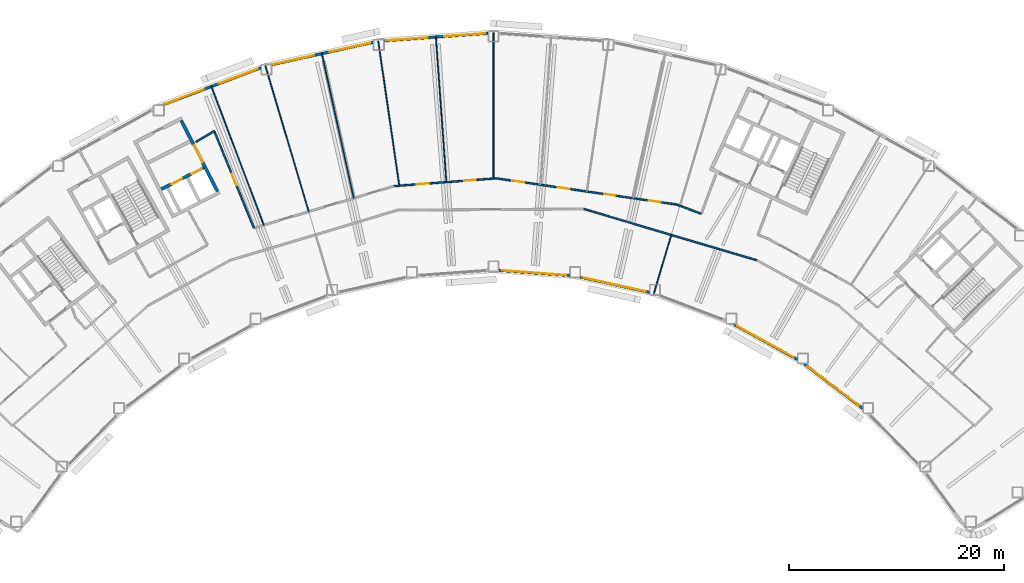
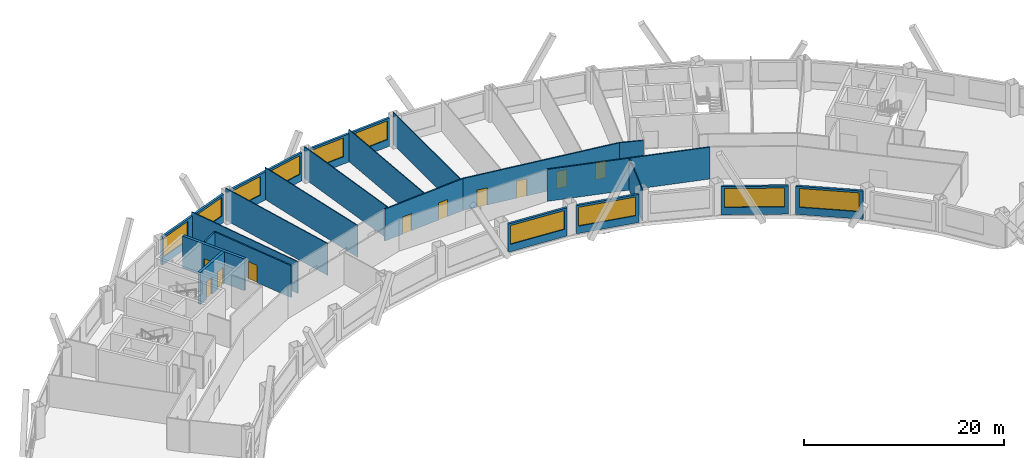
# One storey, part 5 of 11: 22 walls, 10 doors, 10 windows, 20 openings.
"""IFC4 building model written with IfcOpenShell, lengths in metres."""

from ifc_helpers import new_model, si_unit, direction, frame, frame_2d, origin, place, context, subcontext, project, spatial, rectangle, extrude, material, layer, layer_set, type_object, element, fill, save


model = new_model("IFC4")

# Units and contexts
model_context = context("Model", 3, precision=1e-05, world=origin(), true_north=direction((0.0, 1.0)))
body_context = subcontext(model_context, "Body", "Model", "MODEL_VIEW")
ifc_project = project(units=[si_unit("LENGTHUNIT", "METRE"), si_unit("AREAUNIT", "SQUARE_METRE"), si_unit("VOLUMEUNIT", "CUBIC_METRE"), si_unit("PLANEANGLEUNIT", "RADIAN"), si_unit("MASSUNIT", "GRAM", prefix="KILO")], contexts=[model_context])

# Site, building, storey
site_placement = place(None, origin())
site = spatial("IfcSite", under=ifc_project, at=site_placement, CompositionType="ELEMENT")
building_placement = place(site_placement, origin())
building = spatial("IfcBuilding", under=site, at=building_placement, Name="Tuul Gate Civic Tower", CompositionType="ELEMENT")
storey_placement = place(building_placement, frame((0.0, 0.0, 138.199951171875)))
storey = spatial("IfcBuildingStorey", under=building, at=storey_placement, Name="Level 31", CompositionType="ELEMENT", Elevation=138.199951171875)

# Wall
ifc_material_1 = material(Name="Gypsum board partition")
ifc_layer_1 = layer(ifc_material_1, 0.14990234375)
ifc_layer_set_1 = layer_set([ifc_layer_1], Name="Gypsum board partition")
wall_type_1 = type_object("IfcWallType", Name="Corridor wall P150", PredefinedType="PARTITIONING", material=ifc_layer_set_1)
wall_1_placement = place(storey_placement, frame((22.355712890625, -6.37548828125, 0.0), z_axis=(0.0, 0.0, 1.0), x_axis=(0.937357396993, -0.348369215492, 0.0)))
element("IfcWall", 1, at=wall_1_placement, inside=storey, type_object=wall_type_1, Name="p016", PredefinedType="PARTITIONING", context=body_context, shape_type="SweptSolid", body=[
    extrude(rectangle(XDim=2.44921875, YDim=0.14990234375, at=frame_2d((1.224609375, 0.0))), origin(), (0.0, 0.0, 1.0), 3.900146484375),
])

# Wall, openings, doors
wall_2_placement = place(storey_placement, frame((5.633056640625, -3.94677734375, 0.0), z_axis=(0.0, 0.0, 1.0), x_axis=(0.989618822019, -0.143717038326, 0.0)))
wall_2 = element("IfcWall", 2, at=wall_2_placement, inside=storey, type_object=wall_type_1, Name="p021", PredefinedType="PARTITIONING", context=body_context, shape_type="SweptSolid", body=[
    extrude(rectangle(XDim=16.895751953125, YDim=0.14990234375, at=frame_2d((8.44775390625, 0.0))), origin(), (0.0, 0.0, 1.0), 3.900146484375),
])
opening_1_placement = place(wall_2_placement, frame((14.32275390625, 0.0, 0.0)))
opening_1 = element("IfcOpeningElement", 3, at=opening_1_placement, cuts=wall_2, Name="Opening K-D06", PredefinedType="OPENING", context=body_context, shape_type="SweptSolid", body=[
    extrude(rectangle(XDim=1.10009765625, YDim=2.10009765625, at=frame_2d((0.550048828125, 1.050048828125))), frame((0.0, 0.0849609375, 0.0), z_axis=(0.0, -1.0, 0.0), x_axis=(1.0, 0.0, 0.0)), (0.0, 0.0, 1.0), 0.169921875),
])
opening_2_placement = place(wall_2_placement, frame((10.12158203125, 0.0, 0.0)))
opening_2 = element("IfcOpeningElement", 4, at=opening_2_placement, cuts=wall_2, Name="Opening K-D07", PredefinedType="OPENING", context=body_context, shape_type="SweptSolid", body=[
    extrude(rectangle(XDim=1.10009765625, YDim=2.10009765625, at=frame_2d((0.550048828125, 1.050048828125))), frame((0.0, 0.0849609375, 0.0), z_axis=(0.0, -1.0, 0.0), x_axis=(1.0, 0.0, 0.0)), (0.0, 0.0, 1.0), 0.169921875),
])
opening_3_placement = place(wall_2_placement, frame((5.7666015625, 0.0, 0.0)))
opening_3 = element("IfcOpeningElement", 5, at=opening_3_placement, cuts=wall_2, Name="Opening K-D08", PredefinedType="OPENING", context=body_context, shape_type="SweptSolid", body=[
    extrude(rectangle(XDim=1.10009765625, YDim=2.10009765625, at=frame_2d((0.550048828125, 1.050048828125))), frame((0.0, 0.0849609375, 0.0), z_axis=(0.0, -1.0, 0.0), x_axis=(1.0, 0.0, 0.0)), (0.0, 0.0, 1.0), 0.169921875),
])
opening_4_placement = place(wall_2_placement, frame((1.51953125, 0.0, 0.0)))
opening_4 = element("IfcOpeningElement", 6, at=opening_4_placement, cuts=wall_2, Name="Opening K-D09", PredefinedType="OPENING", context=body_context, shape_type="SweptSolid", body=[
    extrude(rectangle(XDim=1.10009765625, YDim=2.10009765625, at=frame_2d((0.550048828125, 1.050048828125))), frame((0.0, 0.0849609375, 0.0), z_axis=(0.0, -1.0, 0.0), x_axis=(1.0, 0.0, 0.0)), (0.0, 0.0, 1.0), 0.169921875),
])
ifc_material_2 = material(Name="Timber door leaf", Category="wood")
door_type_1 = type_object("IfcDoorType", Name="Door D11", OperationType="NOTDEFINED", PredefinedType="DOOR", material=ifc_material_2)
door_1_placement = place(opening_1_placement, origin())
door_1 = element("IfcDoor", 7, at=door_1_placement, inside=storey, type_object=door_type_1, Name="Door K-D06", OperationType="SINGLE_SWING_LEFT", OverallHeight=2.10009765625, OverallWidth=1.10009765625, PredefinedType="DOOR", context=body_context, shape_type="SweptSolid", body=[
    extrude(rectangle(XDim=1.10009765625, YDim=2.10009765625, at=frame_2d((0.550048828125, 1.050048828125))), frame((0.0, 0.02490234375, 0.0), z_axis=(0.0, -1.0, 0.0), x_axis=(1.0, 0.0, 0.0)), (0.0, 0.0, 1.0), 0.050048828125),
])
fill(opening_1, door_1)
door_2_placement = place(opening_2_placement, origin())
door_2 = element("IfcDoor", 8, at=door_2_placement, inside=storey, type_object=door_type_1, Name="Door K-D07", OperationType="SINGLE_SWING_RIGHT", OverallHeight=2.10009765625, OverallWidth=1.10009765625, PredefinedType="DOOR", context=body_context, shape_type="SweptSolid", body=[
    extrude(rectangle(XDim=1.10009765625, YDim=2.10009765625, at=frame_2d((0.550048828125, 1.050048828125))), frame((0.0, 0.02490234375, 0.0), z_axis=(0.0, -1.0, 0.0), x_axis=(1.0, 0.0, 0.0)), (0.0, 0.0, 1.0), 0.050048828125),
])
fill(opening_2, door_2)
door_3_placement = place(opening_3_placement, origin())
door_3 = element("IfcDoor", 9, at=door_3_placement, inside=storey, type_object=door_type_1, Name="Door K-D08", OperationType="SINGLE_SWING_RIGHT", OverallHeight=2.10009765625, OverallWidth=1.10009765625, PredefinedType="DOOR", context=body_context, shape_type="SweptSolid", body=[
    extrude(rectangle(XDim=1.10009765625, YDim=2.10009765625, at=frame_2d((0.550048828125, 1.050048828125))), frame((0.0, 0.02490234375, 0.0), z_axis=(0.0, -1.0, 0.0), x_axis=(1.0, 0.0, 0.0)), (0.0, 0.0, 1.0), 0.050048828125),
])
fill(opening_3, door_3)
door_4_placement = place(opening_4_placement, origin())
door_4 = element("IfcDoor", 10, at=door_4_placement, inside=storey, type_object=door_type_1, Name="Door K-D09", OperationType="SINGLE_SWING_RIGHT", OverallHeight=2.10009765625, OverallWidth=1.10009765625, PredefinedType="DOOR", context=body_context, shape_type="SweptSolid", body=[
    extrude(rectangle(XDim=1.10009765625, YDim=2.10009765625, at=frame_2d((0.550048828125, 1.050048828125))), frame((0.0, 0.02490234375, 0.0), z_axis=(0.0, -1.0, 0.0), x_axis=(1.0, 0.0, 0.0)), (0.0, 0.0, 1.0), 0.050048828125),
])
fill(opening_4, door_4)

wall_3_placement = place(storey_placement, frame((-3.847900390625, -4.6650390625, 0.0), z_axis=(0.0, 0.0, 1.0), x_axis=(0.997139374846, 0.075584834003, 0.0)))
wall_3 = element("IfcWall", 11, at=wall_3_placement, inside=storey, type_object=wall_type_1, Name="p025", PredefinedType="PARTITIONING", context=body_context, shape_type="SweptSolid", body=[
    extrude(rectangle(XDim=9.505859375, YDim=0.14990234375, at=frame_2d((4.7529296875, 0.0))), origin(), (0.0, 0.0, 1.0), 3.900146484375),
])
opening_5_placement = place(wall_3_placement, frame((6.505615234375, 0.0, 0.0)))
opening_5 = element("IfcOpeningElement", 12, at=opening_5_placement, cuts=wall_3, Name="Opening K-D10", PredefinedType="OPENING", context=body_context, shape_type="SweptSolid", body=[
    extrude(rectangle(XDim=1.10009765625, YDim=2.10009765625, at=frame_2d((0.550048828125, 1.050048828125))), frame((0.0, 0.0849609375, 0.0), z_axis=(0.0, -1.0, 0.0), x_axis=(1.0, 0.0, 0.0)), (0.0, 0.0, 1.0), 0.169921875),
])
opening_6_placement = place(wall_3_placement, frame((2.12158203125, 0.0, 0.0)))
opening_6 = element("IfcOpeningElement", 13, at=opening_6_placement, cuts=wall_3, Name="Opening K-D11", PredefinedType="OPENING", context=body_context, shape_type="SweptSolid", body=[
    extrude(rectangle(XDim=1.10009765625, YDim=2.10009765625, at=frame_2d((0.550048828125, 1.050048828125))), frame((0.0, 0.0849609375, 0.0), z_axis=(0.0, -1.0, 0.0), x_axis=(1.0, 0.0, 0.0)), (0.0, 0.0, 1.0), 0.169921875),
])
door_5_placement = place(opening_5_placement, origin())
door_5 = element("IfcDoor", 14, at=door_5_placement, inside=storey, type_object=door_type_1, Name="Door K-D10", OperationType="SINGLE_SWING_RIGHT", OverallHeight=2.10009765625, OverallWidth=1.10009765625, PredefinedType="DOOR", context=body_context, shape_type="SweptSolid", body=[
    extrude(rectangle(XDim=1.10009765625, YDim=2.10009765625, at=frame_2d((0.550048828125, 1.050048828125))), frame((0.0, 0.02490234375, 0.0), z_axis=(0.0, -1.0, 0.0), x_axis=(1.0, 0.0, 0.0)), (0.0, 0.0, 1.0), 0.050048828125),
])
fill(opening_5, door_5)
door_6_placement = place(opening_6_placement, origin())
door_6 = element("IfcDoor", 15, at=door_6_placement, inside=storey, type_object=door_type_1, Name="Door K-D11", OperationType="SINGLE_SWING_RIGHT", OverallHeight=2.10009765625, OverallWidth=1.10009765625, PredefinedType="DOOR", context=body_context, shape_type="SweptSolid", body=[
    extrude(rectangle(XDim=1.10009765625, YDim=2.10009765625, at=frame_2d((0.550048828125, 1.050048828125))), frame((0.0, 0.02490234375, 0.0), z_axis=(0.0, -1.0, 0.0), x_axis=(1.0, 0.0, 0.0)), (0.0, 0.0, 1.0), 0.050048828125),
])
fill(opening_6, door_6)

# Wall, opening, door
wall_4_placement = place(storey_placement, frame((-20.55126953125, 0.440673828125, 0.0), z_axis=(0.0, 0.0, 1.0), x_axis=(0.379597199819, -0.925151860988, 0.0)))
wall_4 = element("IfcWall", 16, at=wall_4_placement, inside=storey, type_object=wall_type_1, Name="p033", PredefinedType="PARTITIONING", context=body_context, shape_type="SweptSolid", body=[
    extrude(rectangle(XDim=9.707763671875, YDim=0.14990234375, at=frame_2d((4.85400390625, 0.0))), origin(), (0.0, 0.0, 1.0), 3.900146484375),
])
opening_7_placement = place(wall_4_placement, frame((4.3037109375, 0.0, 0.0)))
opening_7 = element("IfcOpeningElement", 17, at=opening_7_placement, cuts=wall_4, Name="Opening K-D15", PredefinedType="OPENING", context=body_context, shape_type="SweptSolid", body=[
    extrude(rectangle(XDim=1.10009765625, YDim=2.10009765625, at=frame_2d((0.550048828125, 1.050048828125))), frame((0.0, 0.0849609375, 0.0), z_axis=(0.0, -1.0, 0.0), x_axis=(1.0, 0.0, 0.0)), (0.0, 0.0, 1.0), 0.169921875),
])
door_7_placement = place(opening_7_placement, frame((1.10009765625, 0.0, 0.0), z_axis=(0.0, 0.0, 1.0), x_axis=(-1.0, 0.0, 0.0)))
door_7 = element("IfcDoor", 18, at=door_7_placement, inside=storey, type_object=door_type_1, Name="Door K-D15", OperationType="SINGLE_SWING_LEFT", OverallHeight=2.10009765625, OverallWidth=1.10009765625, PredefinedType="DOOR", context=body_context, shape_type="SweptSolid", body=[
    extrude(rectangle(XDim=1.10009765625, YDim=2.10009765625, at=frame_2d((0.550048828125, 1.050048828125))), frame((0.0, 0.02490234375, 0.0), z_axis=(0.0, -1.0, 0.0), x_axis=(1.0, 0.0, 0.0)), (0.0, 0.0, 1.0), 0.050048828125),
])
fill(opening_7, door_7)

# Walls
wall_5_placement = place(storey_placement, frame((-22.25390625, -0.57275390625, 0.0), z_axis=(0.0, 0.0, 1.0), x_axis=(0.859087704758, 0.511828404384, 0.0)))
element("IfcWall", 19, at=wall_5_placement, inside=storey, type_object=wall_type_1, Name="p034", PredefinedType="PARTITIONING", context=body_context, shape_type="SweptSolid", body=[
    extrude(rectangle(XDim=1.98046875, YDim=0.14990234375, at=frame_2d((0.990234375, 0.0))), origin(), (0.0, 0.0, 1.0), 3.900146484375),
])
wall_6_placement = place(storey_placement, frame((13.759521484375, -6.791015625, 0.0), z_axis=(0.0, 0.0, 1.0), x_axis=(0.95876109681, -0.28421322848, 0.0)))
element("IfcWall", 20, at=wall_6_placement, inside=storey, type_object=wall_type_1, Name="p048", PredefinedType="PARTITIONING", context=body_context, shape_type="SweptSolid", body=[
    extrude(rectangle(XDim=16.771240234375, YDim=0.14990234375, at=frame_2d((8.3857421875, 0.0))), origin(), (0.0, 0.0, 1.0), 3.900146484375),
])

# Wall, openings, windows
ifc_material_3 = material(Name="Precast concrete C40/50", Category="concrete")
ifc_layer_2 = layer(ifc_material_3, 0.25)
ifc_layer_set_2 = layer_set([ifc_layer_2], Name="Precast concrete C40/50")
wall_type_2 = type_object("IfcWallType", Name="External wall", PredefinedType="STANDARD", material=ifc_layer_set_2)
wall_7_placement = place(storey_placement, frame((4.8740234375, 9.521484375, 0.0), z_axis=(0.0, 0.0, 1.0), x_axis=(-0.997386456692, -0.07225133914, 0.0)))
wall_7 = element("IfcWall", 21, at=wall_7_placement, inside=storey, type_object=wall_type_2, Name="External wall", PredefinedType="STANDARD", context=body_context, shape_type="SweptSolid", body=[
    extrude(rectangle(XDim=9.67431640625, YDim=0.25, at=frame_2d((4.837158203125, 0.0))), origin(), (0.0, 0.0, 1.0), 3.449951171875),
])
opening_8_placement = place(wall_7_placement, frame((0.250244140625, 0.0, 0.89990234375)))
opening_8 = element("IfcOpeningElement", 22, at=opening_8_placement, cuts=wall_7, Name="Opening W22", PredefinedType="OPENING", context=body_context, shape_type="SweptSolid", body=[
    extrude(rectangle(XDim=3.85009765625, YDim=2.300048828125, at=frame_2d((1.925048828125, 1.14990234375))), frame((0.0, 0.135009765625, 0.0), z_axis=(0.0, -1.0, 0.0), x_axis=(1.0, 0.0, 0.0)), (0.0, 0.0, 1.0), 0.27001953125),
])
opening_9_placement = place(wall_7_placement, frame((5.62109375, 0.0, 0.89990234375)))
opening_9 = element("IfcOpeningElement", 23, at=opening_9_placement, cuts=wall_7, Name="Opening W22", PredefinedType="OPENING", context=body_context, shape_type="SweptSolid", body=[
    extrude(rectangle(XDim=3.85009765625, YDim=2.300048828125, at=frame_2d((1.925048828125, 1.14990234375))), frame((0.0, 0.135009765625, 0.0), z_axis=(0.0, -1.0, 0.0), x_axis=(1.0, 0.0, 0.0)), (0.0, 0.0, 1.0), 0.27001953125),
])
ifc_material_4 = material(Name="Glass", Category="glass")
window_type_1 = type_object("IfcWindowType", Name="Window W22 3850 x 2300", PartitioningType="SINGLE_PANEL", PredefinedType="WINDOW", material=ifc_material_4)
window_1_placement = place(opening_8_placement, origin())
window_1 = element("IfcWindow", 24, at=window_1_placement, inside=storey, type_object=window_type_1, Name="Window", OverallHeight=2.300048828125, OverallWidth=3.85009765625, PartitioningType="SINGLE_PANEL", PredefinedType="WINDOW", context=body_context, shape_type="SweptSolid", body=[
    extrude(rectangle(XDim=3.85009765625, YDim=2.300048828125, at=frame_2d((1.925048828125, 1.14990234375))), frame((0.0, 0.030029296875, 0.0), z_axis=(0.0, -1.0, 0.0), x_axis=(1.0, 0.0, 0.0)), (0.0, 0.0, 1.0), 0.06005859375),
])
fill(opening_8, window_1)
window_2_placement = place(opening_9_placement, origin())
window_2 = element("IfcWindow", 25, at=window_2_placement, inside=storey, type_object=window_type_1, Name="Window", OverallHeight=2.300048828125, OverallWidth=3.85009765625, PartitioningType="SINGLE_PANEL", PredefinedType="WINDOW", context=body_context, shape_type="SweptSolid", body=[
    extrude(rectangle(XDim=3.85009765625, YDim=2.300048828125, at=frame_2d((1.925048828125, 1.14990234375))), frame((0.0, 0.030029296875, 0.0), z_axis=(0.0, -1.0, 0.0), x_axis=(1.0, 0.0, 0.0)), (0.0, 0.0, 1.0), 0.06005859375),
])
fill(opening_9, window_2)

wall_8_placement = place(storey_placement, frame((-5.77490234375, 8.68310546875, 0.0), z_axis=(0.0, 0.0, 1.0), x_axis=(-0.976568733391, -0.215205736364, 0.0)))
wall_8 = element("IfcWall", 26, at=wall_8_placement, inside=storey, type_object=wall_type_2, Name="External wall", PredefinedType="STANDARD", context=body_context, shape_type="SweptSolid", body=[
    extrude(rectangle(XDim=9.654296875, YDim=0.25, at=frame_2d((4.8271484375, 0.0))), origin(), (0.0, 0.0, 1.0), 3.449951171875),
])
opening_10_placement = place(wall_8_placement, frame((0.28759765625, 0.0, 0.89990234375)))
opening_10 = element("IfcOpeningElement", 27, at=opening_10_placement, cuts=wall_8, Name="Opening W22", PredefinedType="OPENING", context=body_context, shape_type="SweptSolid", body=[
    extrude(rectangle(XDim=3.85009765625, YDim=2.300048828125, at=frame_2d((1.925048828125, 1.14990234375))), frame((0.0, 0.135009765625, 0.0), z_axis=(0.0, -1.0, 0.0), x_axis=(1.0, 0.0, 0.0)), (0.0, 0.0, 1.0), 0.27001953125),
])
opening_11_placement = place(wall_8_placement, frame((5.6591796875, 0.0, 0.89990234375)))
opening_11 = element("IfcOpeningElement", 28, at=opening_11_placement, cuts=wall_8, Name="Opening W22", PredefinedType="OPENING", context=body_context, shape_type="SweptSolid", body=[
    extrude(rectangle(XDim=3.85009765625, YDim=2.300048828125, at=frame_2d((1.925048828125, 1.14990234375))), frame((0.0, 0.135009765625, 0.0), z_axis=(0.0, -1.0, 0.0), x_axis=(1.0, 0.0, 0.0)), (0.0, 0.0, 1.0), 0.27001953125),
])
window_3_placement = place(opening_10_placement, origin())
window_3 = element("IfcWindow", 29, at=window_3_placement, inside=storey, type_object=window_type_1, Name="Window", OverallHeight=2.300048828125, OverallWidth=3.85009765625, PartitioningType="SINGLE_PANEL", PredefinedType="WINDOW", context=body_context, shape_type="SweptSolid", body=[
    extrude(rectangle(XDim=3.85009765625, YDim=2.300048828125, at=frame_2d((1.925048828125, 1.14990234375))), frame((0.0, 0.030029296875, 0.0), z_axis=(0.0, -1.0, 0.0), x_axis=(1.0, 0.0, 0.0)), (0.0, 0.0, 1.0), 0.06005859375),
])
fill(opening_10, window_3)
window_4_placement = place(opening_11_placement, origin())
window_4 = element("IfcWindow", 30, at=window_4_placement, inside=storey, type_object=window_type_1, Name="Window", OverallHeight=2.300048828125, OverallWidth=3.85009765625, PartitioningType="SINGLE_PANEL", PredefinedType="WINDOW", context=body_context, shape_type="SweptSolid", body=[
    extrude(rectangle(XDim=3.85009765625, YDim=2.300048828125, at=frame_2d((1.925048828125, 1.14990234375))), frame((0.0, 0.030029296875, 0.0), z_axis=(0.0, -1.0, 0.0), x_axis=(1.0, 0.0, 0.0)), (0.0, 0.0, 1.0), 0.06005859375),
])
fill(opening_11, window_4)

wall_9_placement = place(storey_placement, frame((-16.202880859375, 6.320556640625, 0.0), z_axis=(0.0, 0.0, 1.0), x_axis=(-0.935351451724, -0.353719750307, 0.0)))
wall_9 = element("IfcWall", 31, at=wall_9_placement, inside=storey, type_object=wall_type_2, Name="External wall", PredefinedType="STANDARD", context=body_context, shape_type="SweptSolid", body=[
    extrude(rectangle(XDim=9.712646484375, YDim=0.25, at=frame_2d((4.8564453125, 0.0))), origin(), (0.0, 0.0, 1.0), 3.449951171875),
])
opening_12_placement = place(wall_9_placement, frame((0.315673828125, 0.0, 0.89990234375)))
opening_12 = element("IfcOpeningElement", 32, at=opening_12_placement, cuts=wall_9, Name="Opening W22", PredefinedType="OPENING", context=body_context, shape_type="SweptSolid", body=[
    extrude(rectangle(XDim=3.85009765625, YDim=2.300048828125, at=frame_2d((1.925048828125, 1.14990234375))), frame((0.0, 0.135009765625, 0.0), z_axis=(0.0, -1.0, 0.0), x_axis=(1.0, 0.0, 0.0)), (0.0, 0.0, 1.0), 0.27001953125),
])
opening_13_placement = place(wall_9_placement, frame((5.68701171875, 0.0, 0.89990234375)))
opening_13 = element("IfcOpeningElement", 33, at=opening_13_placement, cuts=wall_9, Name="Opening W22", PredefinedType="OPENING", context=body_context, shape_type="SweptSolid", body=[
    extrude(rectangle(XDim=3.85009765625, YDim=2.300048828125, at=frame_2d((1.925048828125, 1.14990234375))), frame((0.0, 0.135009765625, 0.0), z_axis=(0.0, -1.0, 0.0), x_axis=(1.0, 0.0, 0.0)), (0.0, 0.0, 1.0), 0.27001953125),
])
window_5_placement = place(opening_12_placement, origin())
window_5 = element("IfcWindow", 34, at=window_5_placement, inside=storey, type_object=window_type_1, Name="Window", OverallHeight=2.300048828125, OverallWidth=3.85009765625, PartitioningType="SINGLE_PANEL", PredefinedType="WINDOW", context=body_context, shape_type="SweptSolid", body=[
    extrude(rectangle(XDim=3.85009765625, YDim=2.300048828125, at=frame_2d((1.925048828125, 1.14990234375))), frame((0.0, 0.030029296875, 0.0), z_axis=(0.0, -1.0, 0.0), x_axis=(1.0, 0.0, 0.0)), (0.0, 0.0, 1.0), 0.06005859375),
])
fill(opening_12, window_5)
window_6_placement = place(opening_13_placement, origin())
window_6 = element("IfcWindow", 35, at=window_6_placement, inside=storey, type_object=window_type_1, Name="Window", OverallHeight=2.300048828125, OverallWidth=3.85009765625, PartitioningType="SINGLE_PANEL", PredefinedType="WINDOW", context=body_context, shape_type="SweptSolid", body=[
    extrude(rectangle(XDim=3.85009765625, YDim=2.300048828125, at=frame_2d((1.925048828125, 1.14990234375))), frame((0.0, 0.030029296875, 0.0), z_axis=(0.0, -1.0, 0.0), x_axis=(1.0, 0.0, 0.0)), (0.0, 0.0, 1.0), 0.06005859375),
])
fill(opening_13, window_6)

# Wall, opening, window
wall_10_placement = place(storey_placement, frame((5.8740234375, -12.48583984375, 0.0), z_axis=(0.0, 0.0, 1.0), x_axis=(0.997383866909, -0.072287080662, 0.0)))
wall_10 = element("IfcWall", 36, at=wall_10_placement, inside=storey, type_object=wall_type_2, Name="External wall", PredefinedType="STANDARD", context=body_context, shape_type="SweptSolid", body=[
    extrude(rectangle(XDim=6.58935546875, YDim=0.25, at=frame_2d((3.294677734375, 0.0))), origin(), (0.0, 0.0, 1.0), 3.449951171875),
])
opening_14_placement = place(wall_10_placement, frame((0.27099609375, 0.0, 0.89990234375)))
opening_14 = element("IfcOpeningElement", 37, at=opening_14_placement, cuts=wall_10, Name="Opening W26", PredefinedType="OPENING", context=body_context, shape_type="SweptSolid", body=[
    extrude(rectangle(XDim=6.0, YDim=2.300048828125, at=frame_2d((3.0, 1.14990234375))), frame((0.0, 0.135009765625, 0.0), z_axis=(0.0, -1.0, 0.0), x_axis=(1.0, 0.0, 0.0)), (0.0, 0.0, 1.0), 0.27001953125),
])
ifc_material_5 = material(Name="Glass", Category="glass")
window_type_2 = type_object("IfcWindowType", Name="Window W26 6000 x 2300", PartitioningType="SINGLE_PANEL", PredefinedType="WINDOW", material=ifc_material_5)
window_7_placement = place(opening_14_placement, origin())
window_7 = element("IfcWindow", 38, at=window_7_placement, inside=storey, type_object=window_type_2, Name="Window", OverallHeight=2.300048828125, OverallWidth=6.0, PartitioningType="SINGLE_PANEL", PredefinedType="WINDOW", context=body_context, shape_type="SweptSolid", body=[
    extrude(rectangle(XDim=6.0, YDim=2.300048828125, at=frame_2d((3.0, 1.14990234375))), frame((0.0, 0.030029296875, 0.0), z_axis=(0.0, -1.0, 0.0), x_axis=(1.0, 0.0, 0.0)), (0.0, 0.0, 1.0), 0.06005859375),
])
fill(opening_14, window_7)

wall_11_placement = place(storey_placement, frame((13.446044921875, -13.115478515625, 0.0), z_axis=(0.0, 0.0, 1.0), x_axis=(0.976557337415, -0.215257442942, 0.0)))
wall_11 = element("IfcWall", 39, at=wall_11_placement, inside=storey, type_object=wall_type_2, Name="External wall", PredefinedType="STANDARD", context=body_context, shape_type="SweptSolid", body=[
    extrude(rectangle(XDim=6.568115234375, YDim=0.25, at=frame_2d((3.2841796875, 0.0))), origin(), (0.0, 0.0, 1.0), 3.449951171875),
])
opening_15_placement = place(wall_11_placement, frame((0.212158203125, 0.0, 0.89990234375)))
opening_15 = element("IfcOpeningElement", 40, at=opening_15_placement, cuts=wall_11, Name="Opening W26", PredefinedType="OPENING", context=body_context, shape_type="SweptSolid", body=[
    extrude(rectangle(XDim=6.0, YDim=2.300048828125, at=frame_2d((3.0, 1.14990234375))), frame((0.0, 0.135009765625, 0.0), z_axis=(0.0, -1.0, 0.0), x_axis=(1.0, 0.0, 0.0)), (0.0, 0.0, 1.0), 0.27001953125),
])
window_8_placement = place(opening_15_placement, origin())
window_8 = element("IfcWindow", 41, at=window_8_placement, inside=storey, type_object=window_type_2, Name="Window", OverallHeight=2.300048828125, OverallWidth=6.0, PartitioningType="SINGLE_PANEL", PredefinedType="WINDOW", context=body_context, shape_type="SweptSolid", body=[
    extrude(rectangle(XDim=6.0, YDim=2.300048828125, at=frame_2d((3.0, 1.14990234375))), frame((0.0, 0.030029296875, 0.0), z_axis=(0.0, -1.0, 0.0), x_axis=(1.0, 0.0, 0.0)), (0.0, 0.0, 1.0), 0.06005859375),
])
fill(opening_15, window_8)

wall_12_placement = place(storey_placement, frame((27.693115234375, -17.491943359375, 0.0), z_axis=(0.0, 0.0, 1.0), x_axis=(0.874615488592, -0.484817230628, 0.0)))
wall_12 = element("IfcWall", 42, at=wall_12_placement, inside=storey, type_object=wall_type_2, Name="External wall", PredefinedType="STANDARD", context=body_context, shape_type="SweptSolid", body=[
    extrude(rectangle(XDim=6.7548828125, YDim=0.25, at=frame_2d((3.37744140625, 0.0))), origin(), (0.0, 0.0, 1.0), 3.449951171875),
])
opening_16_placement = place(wall_12_placement, frame((0.35009765625, 0.0, 0.89990234375)))
opening_16 = element("IfcOpeningElement", 43, at=opening_16_placement, cuts=wall_12, Name="Opening W26", PredefinedType="OPENING", context=body_context, shape_type="SweptSolid", body=[
    extrude(rectangle(XDim=6.0, YDim=2.300048828125, at=frame_2d((3.0, 1.14990234375))), frame((0.0, 0.135009765625, 0.0), z_axis=(0.0, -1.0, 0.0), x_axis=(1.0, 0.0, 0.0)), (0.0, 0.0, 1.0), 0.27001953125),
])
window_9_placement = place(opening_16_placement, origin())
window_9 = element("IfcWindow", 44, at=window_9_placement, inside=storey, type_object=window_type_2, Name="Window", OverallHeight=2.300048828125, OverallWidth=6.0, PartitioningType="SINGLE_PANEL", PredefinedType="WINDOW", context=body_context, shape_type="SweptSolid", body=[
    extrude(rectangle(XDim=6.0, YDim=2.300048828125, at=frame_2d((3.0, 1.14990234375))), frame((0.0, 0.030029296875, 0.0), z_axis=(0.0, -1.0, 0.0), x_axis=(1.0, 0.0, 0.0)), (0.0, 0.0, 1.0), 0.06005859375),
])
fill(opening_16, window_9)

wall_13_placement = place(storey_placement, frame((34.220458984375, -21.172119140625, 0.0), z_axis=(0.0, 0.0, 1.0), x_axis=(0.795597025415, -0.605826190546, 0.0)))
wall_13 = element("IfcWall", 45, at=wall_13_placement, inside=storey, type_object=wall_type_2, Name="External wall", PredefinedType="STANDARD", context=body_context, shape_type="SweptSolid", body=[
    extrude(rectangle(XDim=6.813232421875, YDim=0.25, at=frame_2d((3.40673828125, 0.0))), origin(), (0.0, 0.0, 1.0), 3.449951171875),
])
opening_17_placement = place(wall_13_placement, frame((0.397705078125, 0.0, 0.89990234375)))
opening_17 = element("IfcOpeningElement", 46, at=opening_17_placement, cuts=wall_13, Name="Opening W26", PredefinedType="OPENING", context=body_context, shape_type="SweptSolid", body=[
    extrude(rectangle(XDim=6.0, YDim=2.300048828125, at=frame_2d((3.0, 1.14990234375))), frame((0.0, 0.135009765625, 0.0), z_axis=(0.0, -1.0, 0.0), x_axis=(1.0, 0.0, 0.0)), (0.0, 0.0, 1.0), 0.27001953125),
])
window_10_placement = place(opening_17_placement, origin())
window_10 = element("IfcWindow", 47, at=window_10_placement, inside=storey, type_object=window_type_2, Name="Window", OverallHeight=2.300048828125, OverallWidth=6.0, PartitioningType="SINGLE_PANEL", PredefinedType="WINDOW", context=body_context, shape_type="SweptSolid", body=[
    extrude(rectangle(XDim=6.0, YDim=2.300048828125, at=frame_2d((3.0, 1.14990234375))), frame((0.0, 0.030029296875, 0.0), z_axis=(0.0, -1.0, 0.0), x_axis=(1.0, 0.0, 0.0)), (0.0, 0.0, 1.0), 0.06005859375),
])
fill(opening_17, window_10)

# Wall, openings, doors
ifc_material_6 = material(Name="Concrete C40/50", Category="concrete")
ifc_layer_3 = layer(ifc_material_6, 0.300048828125)
ifc_layer_set_3 = layer_set([ifc_layer_3], Name="Concrete C40/50")
wall_type_3 = type_object("IfcWallType", Name="Lift shaft wall C40/50", PredefinedType="STANDARD", material=ifc_layer_set_3)
wall_14_placement = place(storey_placement, frame((-21.542236328125, -2.962890625, 0.0), z_axis=(0.0, 0.0, 1.0), x_axis=(-0.891005618941, -0.453992276384, 0.0)))
wall_14 = element("IfcWall", 48, at=wall_14_placement, inside=storey, type_object=wall_type_3, Name="Shaft wall", PredefinedType="STANDARD", context=body_context, shape_type="SweptSolid", body=[
    extrude(rectangle(XDim=4.39990234375, YDim=0.300048828125, at=frame_2d((2.199951171875, 0.0))), origin(), (0.0, 0.0, 1.0), 3.900146484375),
])
opening_18_placement = place(wall_14_placement, frame((0.175048828125, 0.0, 0.0)))
opening_18 = element("IfcOpeningElement", 49, at=opening_18_placement, cuts=wall_14, Name="Opening LD-M1", PredefinedType="OPENING", context=body_context, shape_type="SweptSolid", body=[
    extrude(rectangle(XDim=1.10009765625, YDim=2.10009765625, at=frame_2d((0.550048828125, 1.050048828125))), frame((0.0, 0.16015625, 0.0), z_axis=(0.0, -1.0, 0.0), x_axis=(1.0, 0.0, 0.0)), (0.0, 0.0, 1.0), 0.320068359375),
])
opening_19_placement = place(wall_14_placement, frame((2.22509765625, 0.0, 0.0)))
opening_19 = element("IfcOpeningElement", 50, at=opening_19_placement, cuts=wall_14, Name="Opening LD-M2", PredefinedType="OPENING", context=body_context, shape_type="SweptSolid", body=[
    extrude(rectangle(XDim=1.10009765625, YDim=2.10009765625, at=frame_2d((0.550048828125, 1.050048828125))), frame((0.0, 0.16015625, 0.0), z_axis=(0.0, -1.0, 0.0), x_axis=(1.0, 0.0, 0.0)), (0.0, 0.0, 1.0), 0.320068359375),
])
ifc_material_7 = material(Name="Stainless steel", Category="steel")
door_type_2 = type_object("IfcDoorType", Name="Landing door", OperationType="DOUBLE_DOOR_SLIDING", PredefinedType="DOOR", material=ifc_material_7)
door_8_placement = place(opening_18_placement, origin())
door_8 = element("IfcDoor", 51, at=door_8_placement, inside=storey, type_object=door_type_2, Name="Mid-rise lift M1 landing door", OperationType="DOUBLE_DOOR_SLIDING", OverallHeight=2.10009765625, OverallWidth=1.10009765625, PredefinedType="DOOR", context=body_context, shape_type="SweptSolid", body=[
    extrude(rectangle(XDim=1.10009765625, YDim=2.10009765625, at=frame_2d((0.550048828125, 1.050048828125))), frame((0.0, 0.02490234375, 0.0), z_axis=(0.0, -1.0, 0.0), x_axis=(1.0, 0.0, 0.0)), (0.0, 0.0, 1.0), 0.050048828125),
])
fill(opening_18, door_8)
door_9_placement = place(opening_19_placement, origin())
door_9 = element("IfcDoor", 52, at=door_9_placement, inside=storey, type_object=door_type_2, Name="Mid-rise lift M2 landing door", OperationType="DOUBLE_DOOR_SLIDING", OverallHeight=2.10009765625, OverallWidth=1.10009765625, PredefinedType="DOOR", context=body_context, shape_type="SweptSolid", body=[
    extrude(rectangle(XDim=1.10009765625, YDim=2.10009765625, at=frame_2d((0.550048828125, 1.050048828125))), frame((0.0, 0.02490234375, 0.0), z_axis=(0.0, -1.0, 0.0), x_axis=(1.0, 0.0, 0.0)), (0.0, 0.0, 1.0), 0.050048828125),
])
fill(opening_19, door_9)

# Wall, opening, door
wall_15_placement = place(storey_placement, frame((-20.2509765625, -5.166748046875, 0.0), z_axis=(0.0, 0.0, 1.0), x_axis=(-0.45401029361, 0.89099643843, 0.0)))
wall_15 = element("IfcWall", 53, at=wall_15_placement, inside=storey, type_object=wall_type_3, Name="Shaft wall", PredefinedType="STANDARD", context=body_context, shape_type="SweptSolid", body=[
    extrude(rectangle(XDim=7.39990234375, YDim=0.300048828125, at=frame_2d((3.699951171875, 0.0))), origin(), (0.0, 0.0, 1.0), 3.900146484375),
])
opening_20_placement = place(wall_15_placement, frame((3.02490234375, 0.0, 0.0)))
opening_20 = element("IfcOpeningElement", 54, at=opening_20_placement, cuts=wall_15, Name="Opening LB-W3-LOBBY-1", PredefinedType="OPENING", context=body_context, shape_type="SweptSolid", body=[
    extrude(rectangle(XDim=1.800048828125, YDim=2.10009765625, at=frame_2d((0.89990234375, 1.050048828125))), frame((0.0, 0.16015625, 0.0), z_axis=(0.0, -1.0, 0.0), x_axis=(1.0, 0.0, 0.0)), (0.0, 0.0, 1.0), 0.320068359375),
])
ifc_material_8 = material(Name="Steel", Category="steel")
door_type_3 = type_object("IfcDoorType", Name="Lobby door", OperationType="DOUBLE_DOOR_SINGLE_SWING", PredefinedType="DOOR", material=ifc_material_8)
door_10_placement = place(opening_20_placement, origin())
door_10 = element("IfcDoor", 55, at=door_10_placement, inside=storey, type_object=door_type_3, Name="Lobby door W3-LOBBY", OperationType="DOUBLE_DOOR_SINGLE_SWING", OverallHeight=2.10009765625, OverallWidth=1.800048828125, PredefinedType="DOOR", context=body_context, shape_type="SweptSolid", body=[
    extrude(rectangle(XDim=1.800048828125, YDim=2.10009765625, at=frame_2d((0.89990234375, 1.050048828125))), frame((0.0, 0.02490234375, 0.0), z_axis=(0.0, -1.0, 0.0), x_axis=(1.0, 0.0, 0.0)), (0.0, 0.0, 1.0), 0.050048828125),
])
fill(opening_20, door_10)

# Walls
ifc_material_9 = material(Name="Gypsum board partition")
ifc_layer_4 = layer(ifc_material_9, 0.10009765625)
ifc_layer_set_4 = layer_set([ifc_layer_4], Name="Gypsum board partition")
wall_type_4 = type_object("IfcWallType", Name="Partition P100", PredefinedType="PARTITIONING", material=ifc_layer_set_4)
wall_16_placement = place(storey_placement, frame((20.265380859375, -14.623779296875, 0.0), z_axis=(0.0, 0.0, 1.0), x_axis=(0.285202656555, 0.958467237152, 0.0)))
element("IfcWall", 56, at=wall_16_placement, inside=storey, type_object=wall_type_4, Name="p014", PredefinedType="PARTITIONING", context=body_context, shape_type="SweptSolid", body=[
    extrude(rectangle(XDim=5.660888671875, YDim=0.10009765625, at=frame_2d((2.83056640625, 0.0))), origin(), (0.0, 0.0, 1.0), 3.900146484375),
])
wall_17_placement = place(storey_placement, frame((5.3740234375, -3.966064453125, 0.0), z_axis=(0.0, 0.0, 1.0), x_axis=(0.0, 1.0, 0.0)))
element("IfcWall", 57, at=wall_17_placement, inside=storey, type_object=wall_type_4, Name="p024", PredefinedType="PARTITIONING", context=body_context, shape_type="SweptSolid", body=[
    extrude(rectangle(XDim=13.52880859375, YDim=0.10009765625, at=frame_2d((6.764404296875, 0.0))), origin(), (0.0, 0.0, 1.0), 3.900146484375),
])
wall_18_placement = place(storey_placement, frame((0.025390625, 9.17529296875, 0.0), z_axis=(0.0, 0.0, 1.0), x_axis=(0.07223986571, -0.997387287768, 0.0)))
element("IfcWall", 58, at=wall_18_placement, inside=storey, type_object=wall_type_4, Name="p026", PredefinedType="PARTITIONING", context=body_context, shape_type="SweptSolid", body=[
    extrude(rectangle(XDim=13.50830078125, YDim=0.10009765625, at=frame_2d((6.754150390625, 0.0))), origin(), (0.0, 0.0, 1.0), 3.900146484375),
])
wall_19_placement = place(storey_placement, frame((-5.3232421875, 8.787841796875, 0.0), z_axis=(0.0, 0.0, 1.0), x_axis=(0.144108165234, -0.989561941827, 0.0)))
element("IfcWall", 59, at=wall_19_placement, inside=storey, type_object=wall_type_4, Name="p027", PredefinedType="PARTITIONING", context=body_context, shape_type="SweptSolid", body=[
    extrude(rectangle(XDim=13.558349609375, YDim=0.10009765625, at=frame_2d((6.779296875, 0.0))), origin(), (0.0, 0.0, 1.0), 3.900146484375),
])
wall_20_placement = place(storey_placement, frame((-10.56005859375, 7.6337890625, 0.0), z_axis=(0.0, 0.0, 1.0), x_axis=(0.21522232398, -0.976565077842, 0.0)))
element("IfcWall", 60, at=wall_20_placement, inside=storey, type_object=wall_type_4, Name="p028", PredefinedType="PARTITIONING", context=body_context, shape_type="SweptSolid", body=[
    extrude(rectangle(XDim=13.743896484375, YDim=0.10009765625, at=frame_2d((6.8720703125, 0.0))), origin(), (0.0, 0.0, 1.0), 3.900146484375),
])
wall_21_placement = place(storey_placement, frame((-15.797119140625, 6.4794921875, 0.0), z_axis=(0.0, 0.0, 1.0), x_axis=(0.285220462057, -0.958461938746, 0.0)))
element("IfcWall", 61, at=wall_21_placement, inside=storey, type_object=wall_type_4, Name="p030", PredefinedType="PARTITIONING", context=body_context, shape_type="SweptSolid", body=[
    extrude(rectangle(XDim=14.10205078125, YDim=0.10009765625, at=frame_2d((7.051025390625, 0.0))), origin(), (0.0, 0.0, 1.0), 3.900146484375),
])
wall_22_placement = place(storey_placement, frame((-20.81298828125, 4.58251953125, 0.0), z_axis=(0.0, 0.0, 1.0), x_axis=(0.353708738671, -0.935355615896, 0.0)))
element("IfcWall", 62, at=wall_22_placement, inside=storey, type_object=wall_type_4, Name="p032", PredefinedType="PARTITIONING", context=body_context, shape_type="SweptSolid", body=[
    extrude(rectangle(XDim=13.757080078125, YDim=0.10009765625, at=frame_2d((6.87841796875, 0.0))), origin(), (0.0, 0.0, 1.0), 3.900146484375),
])

save(model, "model.ifc")
